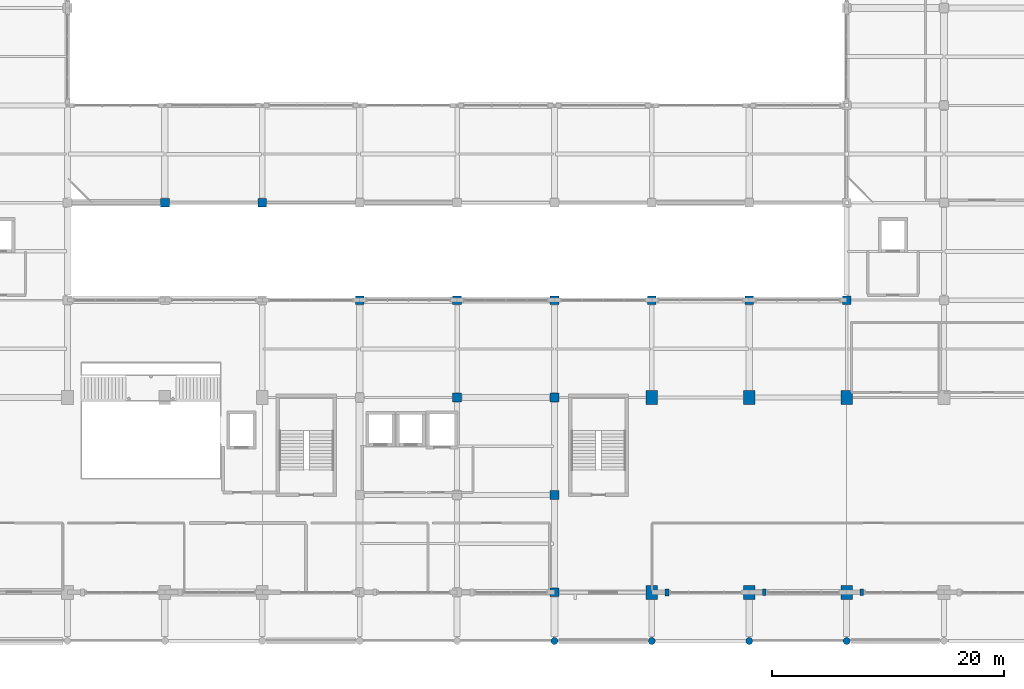
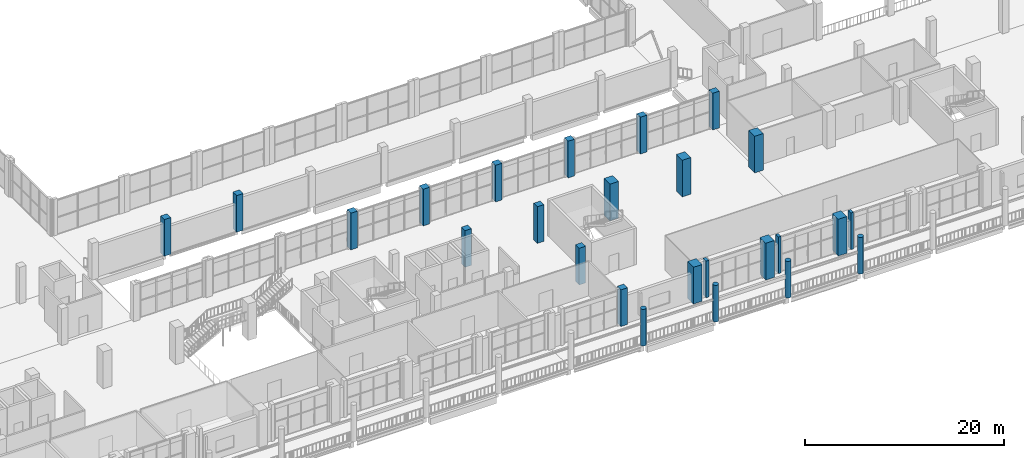
# One storey, part 5 of 75: 25 columns.
"""IFC4 building model written with IfcOpenShell, lengths in metres."""

from ifc_helpers import new_model, si_unit, derived_unit, direction, frame, origin, origin_2d, place, context, subcontext, project, spatial, rectangle, circle, extrude, material, material_profile, profile_set, type_object, element, save


model = new_model("IFC4")

# Units and contexts
model_context = context("Model", 3, precision=1e-05, world=origin(), true_north=direction((0.0, 1.0)))
body_context = subcontext(model_context, "Body", "Model", "MODEL_VIEW")
ifc_project = project(units=[si_unit("LENGTHUNIT", "METRE"), si_unit("AREAUNIT", "SQUARE_METRE"), si_unit("VOLUMEUNIT", "CUBIC_METRE"), si_unit("PLANEANGLEUNIT", "RADIAN"), si_unit("MASSUNIT", "GRAM", prefix="KILO"), derived_unit("THERMALTRANSMITTANCEUNIT", [(si_unit("POWERUNIT", "WATT"), 1), (si_unit("LENGTHUNIT", "METRE"), -2), (si_unit("THERMODYNAMICTEMPERATUREUNIT", "KELVIN"), -1)])], contexts=[model_context])

# Site, building, storey
site_placement = place(None, origin())
site = spatial("IfcSite", under=ifc_project, at=site_placement, CompositionType="ELEMENT")
building_placement = place(site_placement, origin())
building = spatial("IfcBuilding", under=site, at=building_placement, Name="Barrovel Congress Hotel", CompositionType="ELEMENT")
storey_placement = place(building_placement, frame((0.0, 0.0, 5.39990234375)))
storey = spatial("IfcBuildingStorey", under=building, at=storey_placement, Name="L01", CompositionType="ELEMENT", Elevation=5.39990234375)

# Columns
ifc_material_1 = material(Name="Concrete C40", Category="concrete")
ifc_material_profile_1 = material_profile(ifc_material_1, circle(Radius=0.300048828125, at=origin_2d()), Name="RC-D600")
ifc_profile_set_1 = profile_set([ifc_material_profile_1], Name="Concrete C40")
column_type_1 = type_object("IfcColumnType", Name="COL-RC-D600", PredefinedType="COLUMN", material=ifc_profile_set_1)
for number, where, z_axis, x_axis, name in (
    (1, (100.800048828125, 0.0, 0.0), (0.0, 0.0, 1.0), (1.0, 0.0, 0.0), "COL:L01:100.8:0.0"),
    (2, (109.199951171875, 0.0, 0.0), (0.0, 0.0, 1.0), (1.0, 0.0, 0.0), "COL:L01:109.2:0.0"),
    (3, (117.60009765625, 0.0, 0.0), (0.0, 0.0, 1.0), (1.0, 0.0, 0.0), "COL:L01:117.6:0.0"),
    (4, (126.0, 0.0, 0.0), (0.0, 0.0, 1.0), (1.0, 0.0, 0.0), "COL:L01:126.0:0.0"),
):
    element("IfcColumn", number, at=place(storey_placement, frame(where, z_axis=z_axis, x_axis=x_axis)), inside=storey, type_object=column_type_1, Name=name, PredefinedType="COLUMN", context=body_context, shape_type="SweptSolid", body=[
        extrude(circle(Radius=0.300048828125, at=origin_2d()), origin(), (0.0, 0.0, 1.0), 4.5),
    ])
ifc_material_2 = material(Name="Concrete C50", Category="concrete")
ifc_material_profile_2 = material_profile(ifc_material_2, rectangle(XDim=1.0, YDim=1.199951171875, at=origin_2d()), Name="RC1000x1200")
ifc_profile_set_2 = profile_set([ifc_material_profile_2], Name="Concrete C50")
column_type_2 = type_object("IfcColumnType", Name="COL-RC1000x1200", PredefinedType="COLUMN", material=ifc_profile_set_2)
for number, where, z_axis, x_axis, name in (
    (5, (109.199951171875, 4.199951171875, 0.0), (0.0, 0.0, 1.0), (1.0, 0.0, 0.0), "COL:L01:109.2:4.2"),
    (6, (109.199951171875, 21.0, 0.0), (0.0, 0.0, 1.0), (1.0, 0.0, 0.0), "COL:L01:109.2:21.0"),
    (7, (117.60009765625, 4.199951171875, 0.0), (0.0, 0.0, 1.0), (1.0, 0.0, 0.0), "COL:L01:117.6:4.2"),
    (8, (117.60009765625, 21.0, 0.0), (0.0, 0.0, 1.0), (1.0, 0.0, 0.0), "COL:L01:117.6:21.0"),
    (9, (126.0, 4.199951171875, 0.0), (0.0, 0.0, 1.0), (1.0, 0.0, 0.0), "COL:L01:126.0:4.2"),
    (10, (126.0, 21.0, 0.0), (0.0, 0.0, 1.0), (1.0, 0.0, 0.0), "COL:L01:126.0:21.0"),
):
    element("IfcColumn", number, at=place(storey_placement, frame(where, z_axis=z_axis, x_axis=x_axis)), inside=storey, type_object=column_type_2, Name=name, PredefinedType="COLUMN", context=body_context, shape_type="SweptSolid", body=[
        extrude(rectangle(XDim=1.0, YDim=1.199951171875, at=origin_2d()), origin(), (0.0, 0.0, 1.0), 4.5),
    ])
ifc_material_profile_3 = material_profile(ifc_material_1, rectangle(XDim=0.75, YDim=0.75, at=origin_2d()), Name="RC750x750")
ifc_profile_set_3 = profile_set([ifc_material_profile_3], Name="Concrete C40")
column_type_3 = type_object("IfcColumnType", Name="COL-RC750x750", PredefinedType="COLUMN", material=ifc_profile_set_3)
for number, where, z_axis, x_axis, name in (
    (11, (67.199951171875, 37.800048828125, 0.0), (0.0, 0.0, 1.0), (1.0, 0.0, 0.0), "COL:L01:67.2:37.8"),
    (12, (75.60009765625, 37.800048828125, 0.0), (0.0, 0.0, 1.0), (1.0, 0.0, 0.0), "COL:L01:75.6:37.8"),
    (13, (84.0, 29.39990234375, 0.0), (0.0, 0.0, 1.0), (1.0, 0.0, 0.0), "COL:L01:84.0:29.4"),
    (14, (92.39990234375, 21.0, 0.0), (0.0, 0.0, 1.0), (1.0, 0.0, 0.0), "COL:L01:92.4:21.0"),
    (15, (92.39990234375, 29.39990234375, 0.0), (0.0, 0.0, 1.0), (1.0, 0.0, 0.0), "COL:L01:92.4:29.4"),
    (16, (100.800048828125, 4.199951171875, 0.0), (0.0, 0.0, 1.0), (1.0, 0.0, 0.0), "COL:L01:100.8:4.2"),
    (17, (100.800048828125, 12.60009765625, 0.0), (0.0, 0.0, 1.0), (1.0, 0.0, 0.0), "COL:L01:100.8:12.6"),
    (18, (100.800048828125, 21.0, 0.0), (0.0, 0.0, 1.0), (1.0, 0.0, 0.0), "COL:L01:100.8:21.0"),
    (19, (100.800048828125, 29.39990234375, 0.0), (0.0, 0.0, 1.0), (1.0, 0.0, 0.0), "COL:L01:100.8:29.4"),
    (20, (109.199951171875, 29.39990234375, 0.0), (0.0, 0.0, 1.0), (1.0, 0.0, 0.0), "COL:L01:109.2:29.4"),
    (21, (117.60009765625, 29.39990234375, 0.0), (0.0, 0.0, 1.0), (1.0, 0.0, 0.0), "COL:L01:117.6:29.4"),
    (22, (126.0, 29.39990234375, 0.0), (0.0, 0.0, 1.0), (1.0, 0.0, 0.0), "COL:L01:126.0:29.4"),
):
    element("IfcColumn", number, at=place(storey_placement, frame(where, z_axis=z_axis, x_axis=x_axis)), inside=storey, type_object=column_type_3, Name=name, PredefinedType="COLUMN", context=body_context, shape_type="SweptSolid", body=[
        extrude(rectangle(XDim=0.75, YDim=0.75, at=origin_2d()), origin(), (0.0, 0.0, 1.0), 4.5),
    ])
ifc_material_profile_4 = material_profile(ifc_material_1, rectangle(XDim=0.300048828125, YDim=0.550048828125, at=origin_2d()), Name="RC300x550")
ifc_profile_set_4 = profile_set([ifc_material_profile_4], Name="Concrete C40")
column_type_4 = type_object("IfcColumnType", Name="PIL-RC300x550", PredefinedType="PILASTER", material=ifc_profile_set_4)
for number, where, z_axis, x_axis, name in (
    (23, (118.89990234375, 4.199951171875, 0.0), (0.0, 0.0, 1.0), (1.0, 0.0, 0.0), "PIL:L01:S:118.9"),
    (24, (127.300048828125, 4.199951171875, 0.0), (0.0, 0.0, 1.0), (1.0, 0.0, 0.0), "PIL:L01:S:127.3"),
):
    element("IfcColumn", number, at=place(storey_placement, frame(where, z_axis=z_axis, x_axis=x_axis)), inside=storey, type_object=column_type_4, Name=name, PredefinedType="PILASTER", context=body_context, shape_type="SweptSolid", body=[
        extrude(rectangle(XDim=0.300048828125, YDim=0.550048828125, at=origin_2d()), origin(), (0.0, 0.0, 1.0), 4.5),
    ])
ifc_material_profile_5 = material_profile(ifc_material_1, rectangle(XDim=0.35009765625, YDim=0.60009765625, at=origin_2d()), Name="RC350x600")
ifc_profile_set_5 = profile_set([ifc_material_profile_5], Name="Concrete C40")
column_type_5 = type_object("IfcColumnType", Name="PIL-RC350x600", PredefinedType="PILASTER", material=ifc_profile_set_5)
column_placement = place(storey_placement, frame((110.5, 4.199951171875, 0.0), z_axis=(0.0, 0.0, 1.0), x_axis=(1.0, 0.0, 0.0)))
element("IfcColumn", 25, at=column_placement, inside=storey, type_object=column_type_5, Name="PIL:L01:S:110.5", PredefinedType="PILASTER", context=body_context, shape_type="SweptSolid", body=[
    extrude(rectangle(XDim=0.35009765625, YDim=0.60009765625, at=origin_2d()), origin(), (0.0, 0.0, 1.0), 4.5),
])

save(model, "model.ifc")
